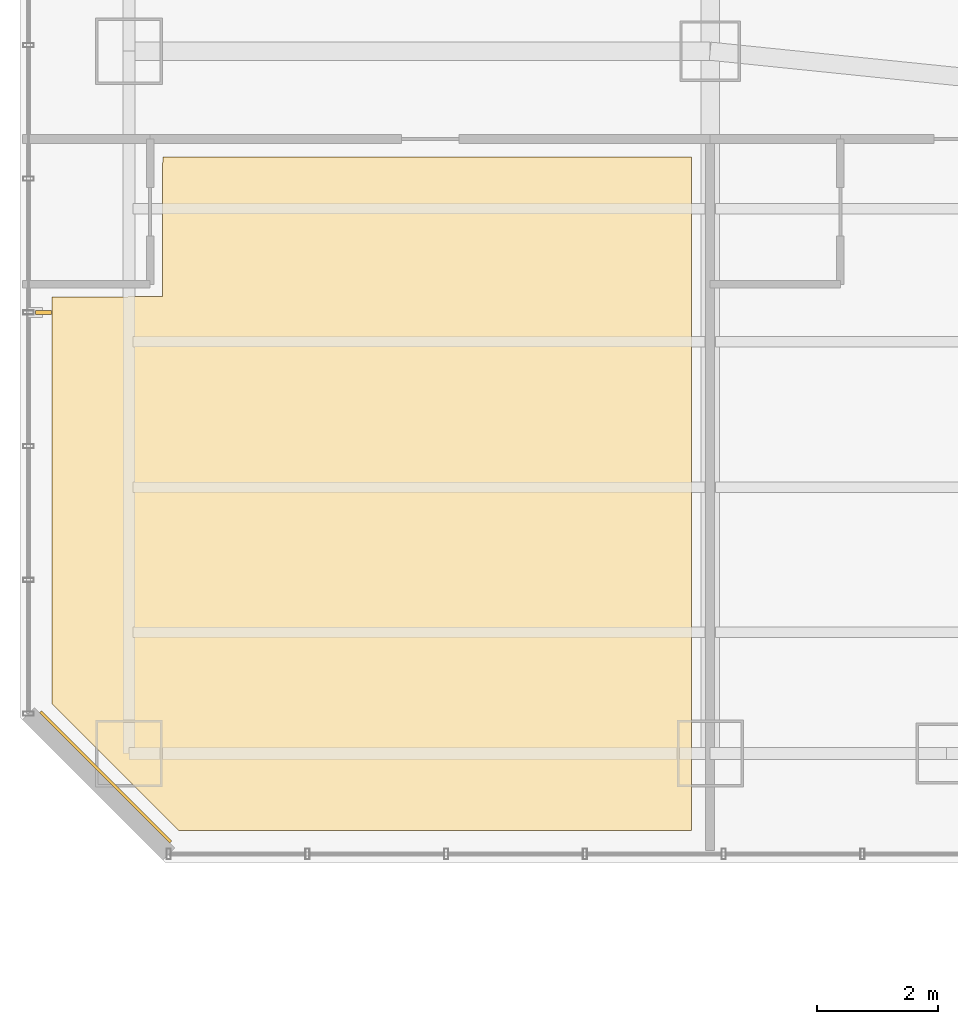
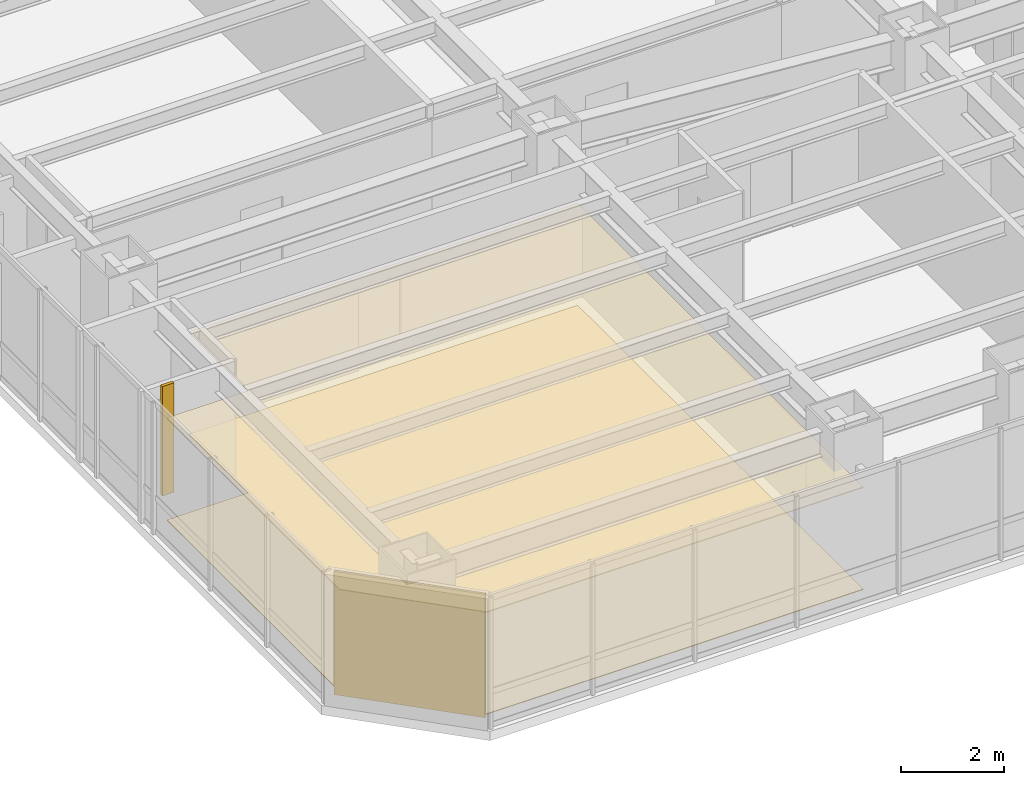
# One storey, part 31 of 37: 3 coverings, 1 shading device.
"""IFC4 building model written with IfcOpenShell, lengths in metres."""

from ifc_helpers import new_model, si_unit, direction, frame, origin, origin_2d, place, context, subcontext, project, spatial, polyline, rectangle, outline, extrude, material, layer, layer_set, type_object, element, save


model = new_model("IFC4")

# Units and contexts
model_context = context("Model", 3, precision=1e-05, world=origin(), true_north=direction((0.0, 1.0)))
body_context = subcontext(model_context, "Body", "Model", "MODEL_VIEW")
ifc_project = project(units=[si_unit("LENGTHUNIT", "METRE"), si_unit("AREAUNIT", "SQUARE_METRE"), si_unit("VOLUMEUNIT", "CUBIC_METRE"), si_unit("PLANEANGLEUNIT", "RADIAN"), si_unit("MASSUNIT", "GRAM", prefix="KILO")], contexts=[model_context])

# Site, building, storey
site_placement = place(None, origin())
site = spatial("IfcSite", under=ifc_project, at=site_placement, CompositionType="ELEMENT")
building_placement = place(site_placement, origin())
building = spatial("IfcBuilding", under=site, at=building_placement, Name="Hatsunagi Terrace Concourse", CompositionType="ELEMENT")
storey_placement = place(building_placement, frame((0.0, 0.0, 39.949951171875)))
storey = spatial("IfcBuildingStorey", under=building, at=storey_placement, Name="L09", CompositionType="ELEMENT", Elevation=39.949951171875)

# Coverings
ifc_material_1 = material(Name="Acoustic mineral board", Category="gypsum")
ifc_layer_1 = layer(ifc_material_1, 0.02001953125)
ifc_layer_set_1 = layer_set([ifc_layer_1], Name="AcousticMineralCeiling_20")
covering_type_1 = type_object("IfcCoveringType", Name="AcousticMineralCeiling_20", PredefinedType="CEILING", material=ifc_layer_set_1)
covering_1_placement = place(storey_placement, frame((0.0, 0.0, 2.420166015625)))
element("IfcCovering", 1, at=covering_1_placement, inside=storey, type_object=covering_type_1, Name="Suspended Ceiling L09-1", PredefinedType="CEILING", context=body_context, shape_type="SweptSolid", body=[
    extrude(outline(polyline([(2.6201171875, 23.929931640625), (11.090087890625, 23.929931640625), (11.090087890625, 35.050048828125), (2.35791015625, 35.050048828125), (2.35595703125, 32.7451171875), (0.530029296875, 32.741943359375), (0.530029296875, 26.02001953125), (2.6201171875, 23.929931640625)])), origin(), (0.0, 0.0, 1.0), 0.019775390625),
])
ifc_material_2 = material(Name="Hardwood timber", Category="wood")
ifc_layer_2 = layer(ifc_material_2, 0.014892578125)
ifc_layer_set_2 = layer_set([ifc_layer_2], Name="HardwoodTimberFlooring_15")
covering_type_2 = type_object("IfcCoveringType", Name="HardwoodTimberFlooring_15", PredefinedType="FLOORING", material=ifc_layer_set_2)
covering_2_placement = place(storey_placement, origin())
element("IfcCovering", 2, at=covering_2_placement, inside=storey, type_object=covering_type_2, Name="Finished Flooring L09-1", PredefinedType="FLOORING", context=body_context, shape_type="SweptSolid", body=[
    extrude(outline(polyline([(2.6201171875, 23.929931640625), (11.090087890625, 23.929931640625), (11.090087890625, 35.050048828125), (2.35791015625, 35.050048828125), (2.35595703125, 32.7451171875), (0.530029296875, 32.741943359375), (0.530029296875, 26.02001953125), (2.6201171875, 23.929931640625)])), origin(), (0.0, 0.0, 1.0), 0.01513671875),
])

# Shading device
ifc_material_3 = material(Name="Extruded Unglazed Terracotta Baguette", Category="masonry")
shading_device_type = type_object("IfcShadingDeviceType", Name="TerracottaFinScreen_260x70", PredefinedType="USERDEFINED", material=ifc_material_3)
shading_device_placement = place(storey_placement, frame((0.389892578125, 32.48291015625, 0.85009765625), z_axis=(0.0, 0.0, 1.0), x_axis=(0.0, 1.0, 0.0)))
element("IfcShadingDevice", 3, at=shading_device_placement, inside=storey, type_object=shading_device_type, Name="Terracotta Baguette Fin Screen SCR-01", ObjectType="SUNSHADE", PredefinedType="USERDEFINED", context=body_context, shape_type="SweptSolid", body=[
    extrude(rectangle(XDim=0.070068359375, YDim=0.260009765625, at=origin_2d()), origin(), (0.0, 0.0, 1.0), 2.60009765625),
])

# Covering
ifc_material_4 = material(Name="Unglazed Warm Terracotta Rainscreen Tile", Category="masonry")
ifc_layer_3 = layer(ifc_material_4, 0.044921875)
ifc_layer_set_3 = layer_set([ifc_layer_3], Name="TerracottaRainscreenCladding_45")
covering_type_3 = type_object("IfcCoveringType", Name="TerracottaRainscreenCladding_45", PredefinedType="CLADDING", material=ifc_layer_set_3)
covering_3_placement = place(storey_placement, frame((1.4140625, 24.81396484375, 0.10009765625), z_axis=(0.0, 0.0, 1.0), x_axis=(-0.707106781187, 0.707106781187, 0.0)))
element("IfcCovering", 4, at=covering_3_placement, inside=storey, type_object=covering_type_3, Name="Terracotta Rainscreen Cladding L09-08", PredefinedType="CLADDING", context=body_context, shape_type="SweptSolid", body=[
    extrude(rectangle(XDim=3.0380859375, YDim=0.044921875, at=origin_2d()), origin(), (0.0, 0.0, 1.0), 2.929931640625),
])

save(model, "model.ifc")
